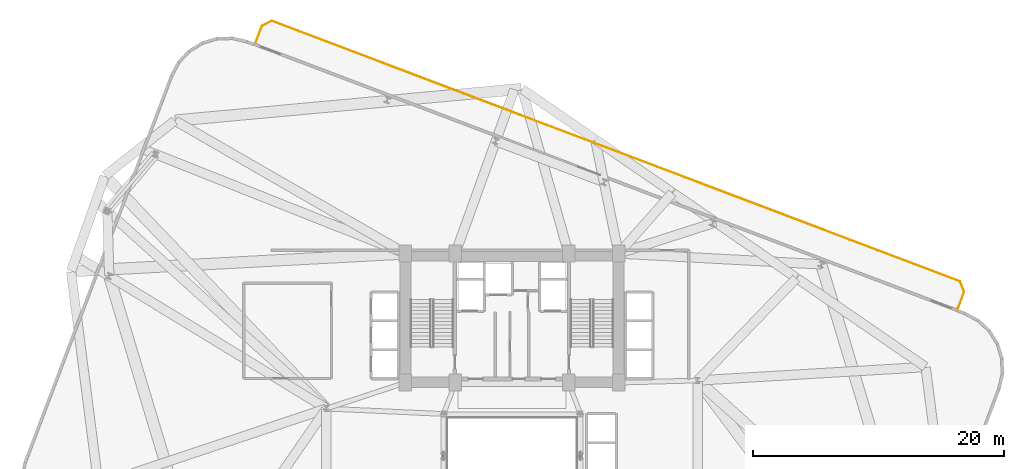
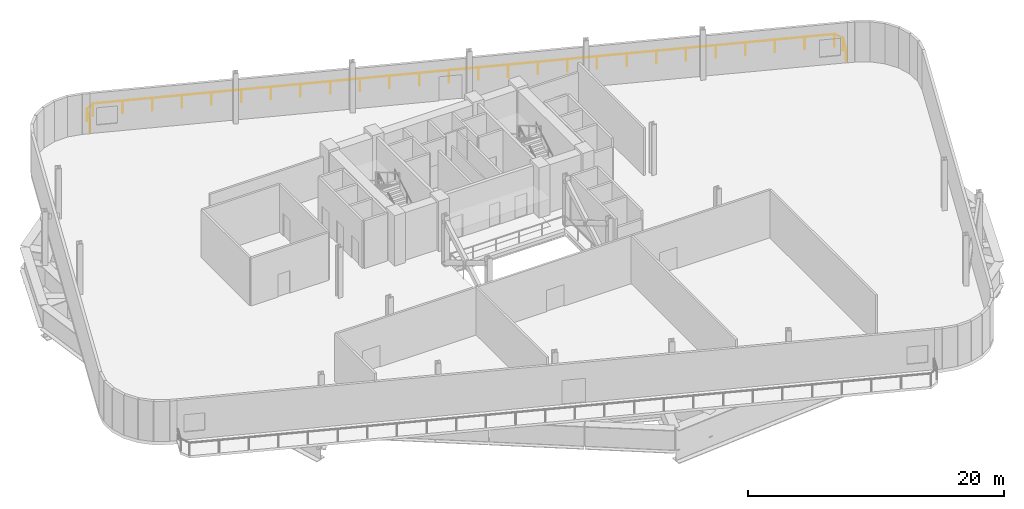
# One storey, part 11 of 11: 1 railing.
"""IFC4 building model written with IfcOpenShell, lengths in metres."""

from ifc_helpers import new_model, si_unit, direction, frame, origin, origin_2d, place, context, subcontext, project, spatial, circle, extrude, material, type_object, element, save


model = new_model("IFC4")

# Units and contexts
model_context = context("Model", 3, precision=1e-05, world=origin(), true_north=direction((0.0, 1.0)))
body_context = subcontext(model_context, "Body", "Model", "MODEL_VIEW")
ifc_project = project(units=[si_unit("LENGTHUNIT", "METRE"), si_unit("AREAUNIT", "SQUARE_METRE"), si_unit("VOLUMEUNIT", "CUBIC_METRE"), si_unit("PLANEANGLEUNIT", "RADIAN"), si_unit("MASSUNIT", "GRAM", prefix="KILO")], contexts=[model_context])

# Site, building, storey
site_placement = place(None, origin())
site = spatial("IfcSite", under=ifc_project, at=site_placement, CompositionType="ELEMENT")
building_placement = place(site_placement, origin())
building = spatial("IfcBuilding", under=site, at=building_placement, Name="Varnelok Gate Tower", CompositionType="ELEMENT")
storey_placement = place(building_placement, frame((0.0, 0.0, 71.39990234375)))
storey = spatial("IfcBuildingStorey", under=building, at=storey_placement, Name="L17", CompositionType="ELEMENT", Elevation=71.39990234375)

# Railing
ifc_material = material(Name="Anodized Aluminum Alloy 6063-T6", Category="aluminium")
railing_type = type_object("IfcRailingType", Name="RL-SKYG-1200", PredefinedType="GUARDRAIL", material=ifc_material)
railing_placement = place(storey_placement, frame((18.740966796875, 55.82080078125, 0.0)))
element("IfcRailing", 1, at=railing_placement, inside=storey, type_object=railing_type, Name="L17 North Terrace Balustrade 2", PredefinedType="GUARDRAIL", context=body_context, shape_type="SweptSolid", body=[
    extrude(circle(Radius=0.02392578125, at=origin_2d()), frame((0.0, 0.0, 1.17578125), z_axis=(0.354088417467, 0.935211950638, 0.0), x_axis=(-0.935211950638, 0.354088417467, 0.0)), (0.0, 0.0, 1.0), 1.469970703125),
    extrude(circle(Radius=0.02392578125, at=origin_2d()), frame((0.5205078125, 1.374755859375, 1.17578125), z_axis=(0.89078254773, 0.454429810487, 0.0), x_axis=(-0.454429810487, 0.89078254773, 0.0)), (0.0, 0.0, 1.0), 0.8779296875),
    extrude(circle(Radius=0.02392578125, at=origin_2d()), frame((1.302490234375, 1.773681640625, 1.17578125), z_axis=(0.935223140667, -0.354058861152, 0.0), x_axis=(0.354058861152, 0.935223140667, 0.0)), (0.0, 0.0, 1.0), 58.699951171875),
    extrude(circle(Radius=0.02392578125, at=origin_2d()), frame((56.199951171875, -19.009521484375, 1.17578125), z_axis=(0.366254584666, -0.930514685113, 0.0), x_axis=(0.930514685113, 0.366254584666, 0.0)), (0.0, 0.0, 1.0), 0.8779296875),
    extrude(circle(Radius=0.02392578125, at=origin_2d()), frame((56.521484375, -19.826416015625, 1.17578125), z_axis=(-0.353943145131, -0.935266940512, 0.0), x_axis=(0.935266940512, -0.353943145131, 0.0)), (0.0, 0.0, 1.0), 1.469970703125),
    extrude(circle(Radius=0.02099609375, at=origin_2d()), origin(), (0.0, 0.0, 1.0), 1.15185546875),
    extrude(circle(Radius=0.02099609375, at=origin_2d()), frame((0.5205078125, 1.374755859375, 0.0)), (0.0, 0.0, 1.0), 1.15185546875),
    extrude(circle(Radius=0.02099609375, at=origin_2d()), frame((1.302490234375, 1.773681640625, 0.0)), (0.0, 0.0, 1.0), 1.15185546875),
    extrude(circle(Radius=0.02099609375, at=origin_2d()), frame((3.498291015625, 0.9423828125, 0.0)), (0.0, 0.0, 1.0), 1.15185546875),
    extrude(circle(Radius=0.02099609375, at=origin_2d()), frame((5.6943359375, 0.111083984375, 0.0)), (0.0, 0.0, 1.0), 1.15185546875),
    extrude(circle(Radius=0.02099609375, at=origin_2d()), frame((7.89013671875, -0.72021484375, 0.0)), (0.0, 0.0, 1.0), 1.15185546875),
    extrude(circle(Radius=0.02099609375, at=origin_2d()), frame((10.086181640625, -1.551513671875, 0.0)), (0.0, 0.0, 1.0), 1.15185546875),
    extrude(circle(Radius=0.02099609375, at=origin_2d()), frame((12.281982421875, -2.383056640625, 0.0)), (0.0, 0.0, 1.0), 1.15185546875),
    extrude(circle(Radius=0.02099609375, at=origin_2d()), frame((14.477783203125, -3.21435546875, 0.0)), (0.0, 0.0, 1.0), 1.15185546875),
    extrude(circle(Radius=0.02099609375, at=origin_2d()), frame((16.673828125, -4.045654296875, 0.0)), (0.0, 0.0, 1.0), 1.15185546875),
    extrude(circle(Radius=0.02099609375, at=origin_2d()), frame((18.86962890625, -4.876953125, 0.0)), (0.0, 0.0, 1.0), 1.15185546875),
    extrude(circle(Radius=0.02099609375, at=origin_2d()), frame((21.065673828125, -5.708251953125, 0.0)), (0.0, 0.0, 1.0), 1.15185546875),
    extrude(circle(Radius=0.02099609375, at=origin_2d()), frame((23.261474609375, -6.53955078125, 0.0)), (0.0, 0.0, 1.0), 1.15185546875),
    extrude(circle(Radius=0.02099609375, at=origin_2d()), frame((25.457275390625, -7.370849609375, 0.0)), (0.0, 0.0, 1.0), 1.15185546875),
    extrude(circle(Radius=0.02099609375, at=origin_2d()), frame((27.6533203125, -8.2021484375, 0.0)), (0.0, 0.0, 1.0), 1.15185546875),
    extrude(circle(Radius=0.02099609375, at=origin_2d()), frame((29.84912109375, -9.03369140625, 0.0)), (0.0, 0.0, 1.0), 1.15185546875),
    extrude(circle(Radius=0.02099609375, at=origin_2d()), frame((32.045166015625, -9.864990234375, 0.0)), (0.0, 0.0, 1.0), 1.15185546875),
    extrude(circle(Radius=0.02099609375, at=origin_2d()), frame((34.240966796875, -10.6962890625, 0.0)), (0.0, 0.0, 1.0), 1.15185546875),
    extrude(circle(Radius=0.02099609375, at=origin_2d()), frame((36.436767578125, -11.527587890625, 0.0)), (0.0, 0.0, 1.0), 1.15185546875),
    extrude(circle(Radius=0.02099609375, at=origin_2d()), frame((38.6328125, -12.35888671875, 0.0)), (0.0, 0.0, 1.0), 1.15185546875),
    extrude(circle(Radius=0.02099609375, at=origin_2d()), frame((40.82861328125, -13.190185546875, 0.0)), (0.0, 0.0, 1.0), 1.15185546875),
    extrude(circle(Radius=0.02099609375, at=origin_2d()), frame((43.024658203125, -14.021484375, 0.0)), (0.0, 0.0, 1.0), 1.15185546875),
    extrude(circle(Radius=0.02099609375, at=origin_2d()), frame((45.220458984375, -14.852783203125, 0.0)), (0.0, 0.0, 1.0), 1.15185546875),
    extrude(circle(Radius=0.02099609375, at=origin_2d()), frame((47.416259765625, -15.684326171875, 0.0)), (0.0, 0.0, 1.0), 1.15185546875),
    extrude(circle(Radius=0.02099609375, at=origin_2d()), frame((49.6123046875, -16.515625, 0.0)), (0.0, 0.0, 1.0), 1.15185546875),
    extrude(circle(Radius=0.02099609375, at=origin_2d()), frame((51.80810546875, -17.346923828125, 0.0)), (0.0, 0.0, 1.0), 1.15185546875),
    extrude(circle(Radius=0.02099609375, at=origin_2d()), frame((54.004150390625, -18.17822265625, 0.0)), (0.0, 0.0, 1.0), 1.15185546875),
    extrude(circle(Radius=0.02099609375, at=origin_2d()), frame((56.199951171875, -19.009521484375, 0.0)), (0.0, 0.0, 1.0), 1.15185546875),
    extrude(circle(Radius=0.02099609375, at=origin_2d()), frame((56.521484375, -19.826416015625, 0.0)), (0.0, 0.0, 1.0), 1.15185546875),
    extrude(circle(Radius=0.02099609375, at=origin_2d()), frame((56.001220703125, -21.201171875, 0.0)), (0.0, 0.0, 1.0), 1.15185546875),
])

save(model, "model.ifc")
